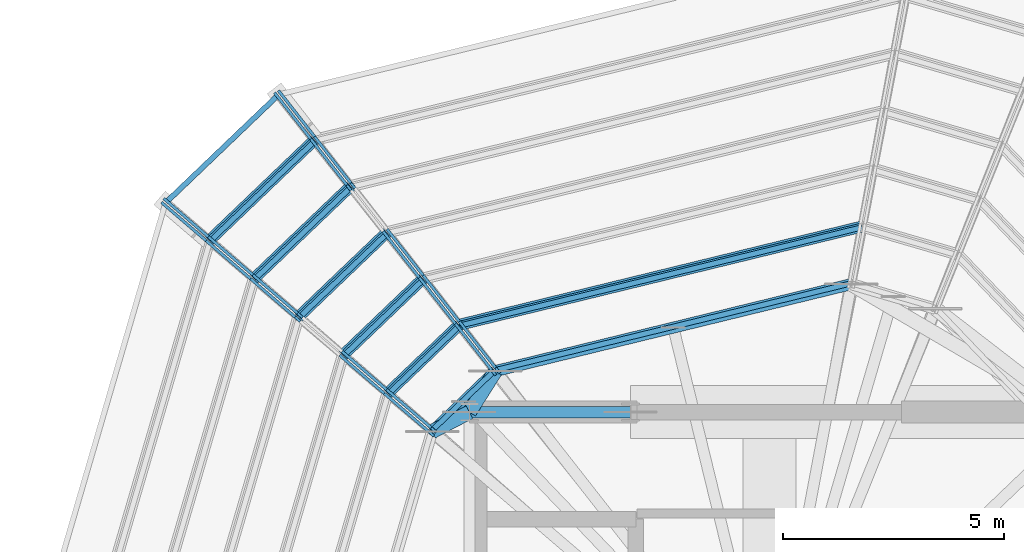
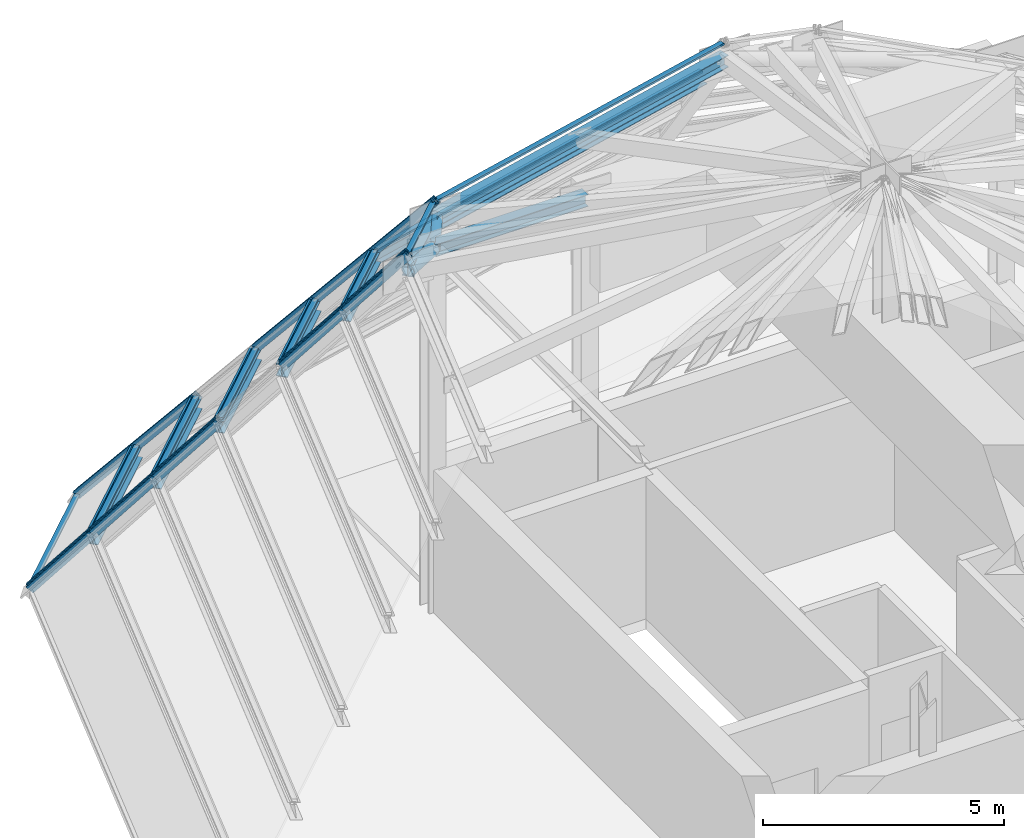
# One storey, part 6 of 13: 37 members, 9 beams, 16 elements without a shape of their own.
"""IFC4 building model written with IfcOpenShell, lengths in metres."""

from ifc_helpers import new_model, si_unit, direction, frame, origin, origin_2d, place, context, subcontext, project, spatial, hollow_rectangle, hollow_circle, i_section, extrude, source, transform, mapped, material, layer, layer_set, material_profile, profile_set, type_object, element, aggregate, save


model = new_model("IFC4")

# Units and contexts
model_context = context("Model", 3, precision=1e-05, world=origin(), true_north=direction((0.0, 1.0)))
body_context = subcontext(model_context, "Body", "Model", "MODEL_VIEW")
ifc_project = project(units=[si_unit("LENGTHUNIT", "METRE"), si_unit("AREAUNIT", "SQUARE_METRE"), si_unit("VOLUMEUNIT", "CUBIC_METRE"), si_unit("PLANEANGLEUNIT", "RADIAN"), si_unit("MASSUNIT", "GRAM", prefix="KILO")], contexts=[model_context])

# Site, building, storey
site_placement = place(None, origin())
site = spatial("IfcSite", under=ifc_project, at=site_placement, CompositionType="ELEMENT")
building_placement = place(site_placement, origin())
building = spatial("IfcBuilding", under=site, at=building_placement, Name="Veraguas Prism Commons", CompositionType="ELEMENT")
storey_placement = place(building_placement, frame((0.0, 0.0, 268.89990234375)))
storey = spatial("IfcBuildingStorey", under=building, at=storey_placement, Name="RF", CompositionType="ELEMENT", Elevation=268.89990234375)

# Members
ifc_material_1 = material(Name="Steel ASTM A500 Grade C", Category="steel")
ifc_material_profile_1 = material_profile(ifc_material_1, hollow_circle(Radius=0.162109375, WallThickness=0.01611328125, at=origin_2d()), Name="CHS324X16")
ifc_profile_set_1 = profile_set([ifc_material_profile_1], Name="Steel ASTM A500 Grade C")
member_type_1 = type_object("IfcMemberType", Name="Crown Apex Collar Strut CHS 324x16", PredefinedType="STRUT", material=ifc_profile_set_1)
member_1_placement = place(storey_placement, frame((17.788818359375, 31.93310546875, 9.067138671875), z_axis=(-0.533693263088, -0.845678130813, 0.0), x_axis=(0.845678130813, -0.533693263088, 0.0)))
element("IfcMember", 1, at=member_1_placement, inside=storey, type_object=member_type_1, Name="Crown Apex Collar Strut 05", PredefinedType="STRUT", context=body_context, shape_type="SweptSolid", body=[
    extrude(hollow_circle(Radius=0.162109375, WallThickness=0.01611328125, at=origin_2d()), origin(), (0.0, 0.0, 1.0), 1.103271484375),
])
member_2_placement = place(storey_placement, frame((16.352294921875, 30.559326171875, 9.067138671875), z_axis=(0.887262821216, 0.461264225892, 0.0), x_axis=(-0.461264225892, 0.887262821216, 0.0)))
element("IfcMember", 2, at=member_2_placement, inside=storey, type_object=member_type_1, Name="Crown Apex Collar Strut 06", PredefinedType="STRUT", context=body_context, shape_type="SweptSolid", body=[
    extrude(hollow_circle(Radius=0.162109375, WallThickness=0.01611328125, at=origin_2d()), origin(), (0.0, 0.0, 1.0), 0.955322265625),
])

# Beams
ifc_material_2 = material(Name="Steel ASTM A992 Grade 50", Category="steel")
ifc_material_profile_2 = material_profile(ifc_material_2, i_section(OverallWidth=0.25390625, OverallDepth=0.305908203125, WebThickness=0.0087890625, FlangeThickness=0.0146484375, at=origin_2d()), Name="W310X79")
ifc_profile_set_2 = profile_set([ifc_material_profile_2], Name="Steel ASTM A992 Grade 50")
beam_type = type_object("IfcBeamType", Name="Crown Ring Spandrel W310x79", PredefinedType="SPANDREL", material=ifc_profile_set_2)
beam_1_placement = place(storey_placement, frame((17.199951171875, 31.0, 9.067138671875), z_axis=(1.0, 0.0, 0.0), x_axis=(0.0, 1.0, 0.0)))
element("IfcBeam", 3, at=beam_1_placement, inside=storey, type_object=beam_type, Name="Crown Apex Ring Beam 3", PredefinedType="SPANDREL", context=body_context, shape_type="SweptSolid", body=[
    extrude(i_section(OverallWidth=0.25390625, OverallDepth=0.305908203125, WebThickness=0.0087890625, FlangeThickness=0.0146484375, at=origin_2d()), origin(), (0.0, 0.0, 1.0), 3.650146484375),
])
beam_2_placement = place(storey_placement, frame((26.10205078125, 35.210693359375, 7.763916015625), z_axis=(-0.971464323678, -0.237185724318, 0.0), x_axis=(0.237185724318, -0.971464323678, 0.0)))
element("IfcBeam", 4, at=beam_2_placement, inside=storey, type_object=beam_type, Name="Crown Facet Ring Beam T5-V04", PredefinedType="SPANDREL", context=body_context, shape_type="SweptSolid", body=[
    extrude(i_section(OverallWidth=0.25390625, OverallDepth=0.305908203125, WebThickness=0.0087890625, FlangeThickness=0.0146484375, at=origin_2d()), origin(), (0.0, 0.0, 1.0), 9.40185546875),
])
beam_3_placement = place(storey_placement, frame((25.856689453125, 33.90283203125, 9.067138671875), z_axis=(-0.971466173368, -0.23717814824, 0.0), x_axis=(0.23717814824, -0.971466173368, 0.0)))
element("IfcBeam", 5, at=beam_3_placement, inside=storey, type_object=beam_type, Name="Crown Facet Ring Beam T6-V04", PredefinedType="SPANDREL", context=body_context, shape_type="SweptSolid", body=[
    extrude(i_section(OverallWidth=0.25390625, OverallDepth=0.305908203125, WebThickness=0.0087890625, FlangeThickness=0.0146484375, at=origin_2d()), origin(), (0.0, 0.0, 1.0), 8.304931640625),
])
beam_4_placement = place(storey_placement, frame((13.68701171875, 37.171875, 1.430419921875), z_axis=(-0.722725400586, -0.691135294532, 0.0), x_axis=(0.691135294532, -0.722725400586, 0.0)))
element("IfcBeam", 6, at=beam_4_placement, inside=storey, type_object=beam_type, Name="Crown Facet Ring Beam T1-V05", PredefinedType="SPANDREL", context=body_context, shape_type="SweptSolid", body=[
    extrude(i_section(OverallWidth=0.25390625, OverallDepth=0.305908203125, WebThickness=0.0087890625, FlangeThickness=0.0146484375, at=origin_2d()), origin(), (0.0, 0.0, 1.0), 3.300048828125),
])
beam_5_placement = place(storey_placement, frame((14.50732421875, 36.1240234375, 3.013916015625), z_axis=(-0.722764040315, -0.691094886414, 0.0), x_axis=(0.691094886414, -0.722764040315, 0.0)))
element("IfcBeam", 7, at=beam_5_placement, inside=storey, type_object=beam_type, Name="Crown Facet Ring Beam T2-V05", PredefinedType="SPANDREL", context=body_context, shape_type="SweptSolid", body=[
    extrude(i_section(OverallWidth=0.25390625, OverallDepth=0.305908203125, WebThickness=0.0087890625, FlangeThickness=0.0146484375, at=origin_2d()), origin(), (0.0, 0.0, 1.0), 3.037353515625),
])
beam_6_placement = place(storey_placement, frame((15.32763671875, 35.076416015625, 4.59716796875), z_axis=(-0.722722098814, -0.691138747204, 0.0), x_axis=(0.691138747204, -0.722722098814, 0.0)))
element("IfcBeam", 8, at=beam_6_placement, inside=storey, type_object=beam_type, Name="Crown Facet Ring Beam T3-V05", PredefinedType="SPANDREL", context=body_context, shape_type="SweptSolid", body=[
    extrude(i_section(OverallWidth=0.25390625, OverallDepth=0.305908203125, WebThickness=0.0087890625, FlangeThickness=0.0146484375, at=origin_2d()), origin(), (0.0, 0.0, 1.0), 2.775146484375),
])
beam_7_placement = place(storey_placement, frame((16.14794921875, 34.028564453125, 6.180419921875), z_axis=(-0.722719930562, -0.691141014532, 0.0), x_axis=(0.691141014532, -0.722719930562, 0.0)))
element("IfcBeam", 9, at=beam_7_placement, inside=storey, type_object=beam_type, Name="Crown Facet Ring Beam T4-V05", PredefinedType="SPANDREL", context=body_context, shape_type="SweptSolid", body=[
    extrude(i_section(OverallWidth=0.25390625, OverallDepth=0.305908203125, WebThickness=0.0087890625, FlangeThickness=0.0146484375, at=origin_2d()), origin(), (0.0, 0.0, 1.0), 2.5126953125),
])
beam_8_placement = place(storey_placement, frame((16.968505859375, 32.980712890625, 7.763916015625), z_axis=(-0.722771454137, -0.691087132773, 0.0), x_axis=(0.691087132773, -0.722771454137, 0.0)))
element("IfcBeam", 10, at=beam_8_placement, inside=storey, type_object=beam_type, Name="Crown Facet Ring Beam T5-V05", PredefinedType="SPANDREL", context=body_context, shape_type="SweptSolid", body=[
    extrude(i_section(OverallWidth=0.25390625, OverallDepth=0.305908203125, WebThickness=0.0087890625, FlangeThickness=0.0146484375, at=origin_2d()), origin(), (0.0, 0.0, 1.0), 2.25),
])
beam_9_placement = place(storey_placement, frame((17.788818359375, 31.93310546875, 9.067138671875), z_axis=(-0.722713876146, -0.691147345525, 0.0), x_axis=(0.691147345525, -0.722713876146, 0.0)))
element("IfcBeam", 11, at=beam_9_placement, inside=storey, type_object=beam_type, Name="Crown Facet Ring Beam T6-V05", PredefinedType="SPANDREL", context=body_context, shape_type="SweptSolid", body=[
    extrude(i_section(OverallWidth=0.25390625, OverallDepth=0.305908203125, WebThickness=0.0087890625, FlangeThickness=0.0146484375, at=origin_2d()), origin(), (0.0, 0.0, 1.0), 1.98779296875),
])

# Curtain wall, member
ifc_material_3 = material(Name="Anodised aluminium EN AW-6063 T6", Category="aluminium")
ifc_layer = layer(ifc_material_3, 0.199951171875, Name="Faceted Glass Point Crown Curtain Wall", Category="aluminium")
ifc_layer_set = layer_set([ifc_layer], Name="Anodised aluminium EN AW-6063 T6")
curtain_wall_type = type_object("IfcCurtainWallType", Name="Faceted Glass Point Crown Curtain Wall", PredefinedType="NOTDEFINED", material=ifc_layer_set)
curtain_wall_1_placement = place(storey_placement, origin())
curtain_wall_1 = element("IfcCurtainWall", 12, at=curtain_wall_1_placement, inside=storey, type_object=curtain_wall_type, Name="Crown Glass-Point Facet T1-F04", PredefinedType="NOTDEFINED")
ifc_material_profile_3 = material_profile(ifc_material_3, hollow_rectangle(XDim=0.06494140625, YDim=0.199951171875, WallThickness=0.00390625, at=origin_2d()), Name="AL65X200X4")
ifc_profile_set_3 = profile_set([ifc_material_profile_3], Name="Anodised aluminium EN AW-6063 T6")
member_type_2 = type_object("IfcMemberType", Name="Curtain Wall Mullion Heavy AL 65x200x4", PredefinedType="MULLION", material=ifc_profile_set_3)
shared_shape_1 = source(origin(), body_context, "Body", "SweptSolid", [
    extrude(hollow_rectangle(XDim=0.06494140625, YDim=0.199951171875, WallThickness=0.00390625, at=origin_2d()), origin(), (0.0, 0.0, 1.0), 2.068359375),
])
member_3_placement = place(storey_placement, frame((12.91748046875, 38.23193359375, 0.0), z_axis=(0.396612466542, -0.506507170813, 0.765603707736), x_axis=(0.78734235213, 0.616516034294, 0.0)))
member_3 = element("IfcMember", 13, at=member_3_placement, type_object=member_type_2, Name="CW-CRN Mullion 2", PredefinedType="MULLION", context=body_context, shape_type="MappedRepresentation", body=[
    mapped(shared_shape_1, transform((0.0, 0.0, 0.0), scale=1.0)),
])
aggregate(curtain_wall_1, [member_3])

# Curtain wall, members
curtain_wall_2_placement = place(storey_placement, origin())
curtain_wall_2 = element("IfcCurtainWall", 14, at=curtain_wall_2_placement, inside=storey, type_object=curtain_wall_type, Name="Crown Glass-Point Facet T1-F05", PredefinedType="NOTDEFINED")
member_4_placement = place(storey_placement, frame((12.82861328125, 38.183349609375, 0.0), z_axis=(0.396612466542, -0.506507170813, 0.765603707736), x_axis=(0.78734235213, 0.616516034294, 0.0)))
member_4 = element("IfcMember", 15, at=member_4_placement, type_object=member_type_2, Name="CW-CRN Mullion 1", PredefinedType="MULLION", context=body_context, shape_type="MappedRepresentation", body=[
    mapped(shared_shape_1, transform((0.0, 0.0, 0.0), scale=1.0)),
])
member_5_placement = place(storey_placement, frame((10.329833984375, 35.793701171875, 0.0), z_axis=(0.488302263112, -0.418898895766, 0.765561633682), x_axis=(0.651108598929, 0.758984579817, 0.0)))
member_5 = element("IfcMember", 16, at=member_5_placement, type_object=member_type_2, Name="CW-CRN Mullion 2", PredefinedType="MULLION", context=body_context, shape_type="MappedRepresentation", body=[
    mapped(shared_shape_1, transform((0.0, 0.0, 0.0), scale=1.0)),
])

# Curtain wall, member
curtain_wall_3_placement = place(storey_placement, origin())
curtain_wall_3 = element("IfcCurtainWall", 17, at=curtain_wall_3_placement, inside=storey, type_object=curtain_wall_type, Name="Crown Glass-Point Facet T1-F06", PredefinedType="NOTDEFINED")
member_6_placement = place(storey_placement, frame((10.277099609375, 35.70703125, 0.0), z_axis=(0.488326405053, -0.418801567592, 0.765599483484), x_axis=(0.651002894994, 0.759075247066, 0.0)))
member_6 = element("IfcMember", 18, at=member_6_placement, type_object=member_type_2, Name="CW-CRN Mullion 1", PredefinedType="MULLION", context=body_context, shape_type="MappedRepresentation", body=[
    mapped(shared_shape_1, transform((0.0, 0.0, 0.0), scale=1.0)),
])
aggregate(curtain_wall_3, [member_6])

curtain_wall_4_placement = place(storey_placement, origin())
curtain_wall_4 = element("IfcCurtainWall", 19, at=curtain_wall_4_placement, inside=storey, type_object=curtain_wall_type, Name="Crown Glass-Point Facet T2-F04", PredefinedType="NOTDEFINED")
member_7_placement = place(storey_placement, frame((13.73779296875, 37.184326171875, 1.58349609375), z_axis=(0.396724057983, -0.506616976157, 0.765473227022), x_axis=(0.787323032399, 0.616540706405, 0.0)))
member_7 = element("IfcMember", 20, at=member_7_placement, type_object=member_type_2, Name="CW-CRN Mullion 2", PredefinedType="MULLION", context=body_context, shape_type="MappedRepresentation", body=[
    mapped(shared_shape_1, transform((0.0, 0.0, 0.0), scale=1.0)),
])
aggregate(curtain_wall_4, [member_7])

curtain_wall_5_placement = place(storey_placement, origin())
curtain_wall_5 = element("IfcCurtainWall", 21, at=curtain_wall_5_placement, inside=storey, type_object=curtain_wall_type, Name="Crown Glass-Point Facet T2-F05", PredefinedType="NOTDEFINED")
member_8_placement = place(storey_placement, frame((11.33984375, 34.92724609375, 1.58349609375), z_axis=(0.48846042409, -0.418815269375, 0.765506488696), x_axis=(0.65091223226, 0.759152992416, 0.0)))
member_8 = element("IfcMember", 22, at=member_8_placement, type_object=member_type_2, Name="CW-CRN Mullion 2", PredefinedType="MULLION", context=body_context, shape_type="MappedRepresentation", body=[
    mapped(shared_shape_1, transform((0.0, 0.0, 0.0), scale=1.0)),
])

curtain_wall_6_placement = place(storey_placement, origin())
curtain_wall_6 = element("IfcCurtainWall", 23, at=curtain_wall_6_placement, inside=storey, type_object=curtain_wall_type, Name="Crown Glass-Point Facet T2-F06", PredefinedType="NOTDEFINED")
member_9_placement = place(storey_placement, frame((11.287109375, 34.8408203125, 1.58349609375), z_axis=(0.488436273944, -0.418912599378, 0.765468641016), x_axis=(0.65101794313, 0.759062341131, 0.0)))
member_9 = element("IfcMember", 24, at=member_9_placement, type_object=member_type_2, Name="CW-CRN Mullion 1", PredefinedType="MULLION", context=body_context, shape_type="MappedRepresentation", body=[
    mapped(shared_shape_1, transform((0.0, 0.0, 0.0), scale=1.0)),
])
aggregate(curtain_wall_6, [member_9])

curtain_wall_7_placement = place(storey_placement, origin())
curtain_wall_7 = element("IfcCurtainWall", 25, at=curtain_wall_7_placement, inside=storey, type_object=curtain_wall_type, Name="Crown Glass-Point Facet T4-F04", PredefinedType="NOTDEFINED")
member_10_placement = place(storey_placement, frame((15.378662109375, 35.088623046875, 4.75), z_axis=(0.396612466542, -0.506507170813, 0.765603707736), x_axis=(0.78734235213, 0.616516034294, 0.0)))
member_10 = element("IfcMember", 26, at=member_10_placement, type_object=member_type_2, Name="CW-CRN Mullion 2", PredefinedType="MULLION", context=body_context, shape_type="MappedRepresentation", body=[
    mapped(shared_shape_1, transform((0.0, 0.0, 0.0), scale=1.0)),
])
aggregate(curtain_wall_7, [member_10])

curtain_wall_8_placement = place(storey_placement, origin())
curtain_wall_8 = element("IfcCurtainWall", 27, at=curtain_wall_8_placement, inside=storey, type_object=curtain_wall_type, Name="Crown Glass-Point Facet T4-F05", PredefinedType="NOTDEFINED")
member_11_placement = place(storey_placement, frame((15.28955078125, 35.0400390625, 4.75), z_axis=(0.396711931209, -0.506483456357, 0.765567862487), x_axis=(0.787253287757, 0.616629759998, 0.0)))
member_11 = element("IfcMember", 28, at=member_11_placement, type_object=member_type_2, Name="CW-CRN Mullion 1", PredefinedType="MULLION", context=body_context, shape_type="MappedRepresentation", body=[
    mapped(shared_shape_1, transform((0.0, 0.0, 0.0), scale=1.0)),
])

curtain_wall_9_placement = place(storey_placement, origin())
curtain_wall_9 = element("IfcCurtainWall", 29, at=curtain_wall_9_placement, inside=storey, type_object=curtain_wall_type, Name="Crown Glass-Point Facet T6-F05", PredefinedType="NOTDEFINED")
member_12_placement = place(storey_placement, frame((15.380126953125, 31.462158203125, 7.916748046875), z_axis=(0.488436273944, -0.418912599378, 0.765468641016), x_axis=(0.65101794313, 0.759062341131, 0.0)))
member_12 = element("IfcMember", 30, at=member_12_placement, type_object=member_type_2, Name="CW-CRN Mullion 2", PredefinedType="MULLION", context=body_context, shape_type="MappedRepresentation", body=[
    mapped(shared_shape_1, transform((0.0, 0.0, 0.0), scale=1.0)),
])

curtain_wall_10_placement = place(storey_placement, origin())
curtain_wall_10 = element("IfcCurtainWall", 31, at=curtain_wall_10_placement, inside=storey, type_object=curtain_wall_type, Name="Crown Glass-Point Facet T6-F06", PredefinedType="NOTDEFINED")
member_13_placement = place(storey_placement, frame((15.327392578125, 31.37548828125, 7.916748046875), z_axis=(0.488436273944, -0.418912599378, 0.765468641016), x_axis=(0.65101794313, 0.759062341131, 0.0)))
member_13 = element("IfcMember", 32, at=member_13_placement, type_object=member_type_2, Name="CW-CRN Mullion 1", PredefinedType="MULLION", context=body_context, shape_type="MappedRepresentation", body=[
    mapped(shared_shape_1, transform((0.0, 0.0, 0.0), scale=1.0)),
])
aggregate(curtain_wall_10, [member_13])

# Member
ifc_material_profile_4 = material_profile(ifc_material_3, hollow_rectangle(XDim=0.050048828125, YDim=0.1201171875, WallThickness=0.0029296875, at=origin_2d()), Name="AL50X120X3")
ifc_profile_set_4 = profile_set([ifc_material_profile_4], Name="Anodised aluminium EN AW-6063 T6")
member_type_3 = type_object("IfcMemberType", Name="Curtain Wall Transom Crown AL 50x120x3", PredefinedType="USERDEFINED", material=ifc_profile_set_4)
shared_shape_2 = source(origin(), body_context, "Body", "SweptSolid", [
    extrude(hollow_rectangle(XDim=0.050048828125, YDim=0.1201171875, WallThickness=0.0029296875, at=origin_2d()), origin(), (0.0, 0.0, 1.0), 3.453125),
])
member_14_placement = place(storey_placement, frame((12.841552734375, 38.166748046875, 0.025146484375), z_axis=(-0.722697130784, -0.691164855267, 0.0), x_axis=(0.0, 0.0, 1.0)))
member_14 = element("IfcMember", 33, at=member_14_placement, type_object=member_type_3, Name="CW-CRN Transom 1", ObjectType="TRANSOM", PredefinedType="USERDEFINED", context=body_context, shape_type="MappedRepresentation", body=[
    mapped(shared_shape_2, transform((0.0, 0.0, 0.0), scale=1.0)),
])

shared_shape_3 = source(origin(), body_context, "Body", "SweptSolid", [
    extrude(hollow_rectangle(XDim=0.050048828125, YDim=0.1201171875, WallThickness=0.0029296875, at=origin_2d()), origin(), (0.0, 0.0, 1.0), 3.198974609375),
])
member_15_placement = place(storey_placement, frame((13.635986328125, 37.152099609375, 1.558349609375), z_axis=(-0.722728038479, -0.691132536057, 0.0), x_axis=(0.0, 0.0, 1.0)))
member_15 = element("IfcMember", 34, at=member_15_placement, type_object=member_type_3, Name="CW-CRN Transom 2", ObjectType="TRANSOM", PredefinedType="USERDEFINED", context=body_context, shape_type="MappedRepresentation", body=[
    mapped(shared_shape_3, transform((0.0, 0.0, 0.0), scale=1.0)),
])

aggregate(curtain_wall_2, [member_4, member_5, member_14, member_15])

shared_shape_4 = source(origin(), body_context, "Body", "SweptSolid", [
    extrude(hollow_rectangle(XDim=0.06494140625, YDim=0.199951171875, WallThickness=0.00390625, at=origin_2d()), origin(), (0.0, 0.0, 1.0), 2.068115234375),
])
member_16_placement = place(storey_placement, frame((13.64892578125, 37.1357421875, 1.58349609375), z_axis=(0.396624591411, -0.506640698315, 0.765509070031), x_axis=(0.787412078932, 0.616426976983, 0.0)))
member_16 = element("IfcMember", 35, at=member_16_placement, type_object=member_type_2, Name="CW-CRN Mullion 1", PredefinedType="MULLION", context=body_context, shape_type="MappedRepresentation", body=[
    mapped(shared_shape_4, transform((0.0, 0.0, 0.0), scale=1.0)),
])

# Curtain wall, member
curtain_wall_11_placement = place(storey_placement, origin())
curtain_wall_11 = element("IfcCurtainWall", 36, at=curtain_wall_11_placement, inside=storey, type_object=curtain_wall_type, Name="Crown Glass-Point Facet T3-F05", PredefinedType="NOTDEFINED")
member_17_placement = place(storey_placement, frame((12.35009765625, 34.06103515625, 3.166748046875), z_axis=(0.48834638941, -0.418936750306, 0.765512771411), x_axis=(0.651108598929, 0.758984579817, 0.0)))
member_17 = element("IfcMember", 37, at=member_17_placement, type_object=member_type_2, Name="CW-CRN Mullion 2", PredefinedType="MULLION", context=body_context, shape_type="MappedRepresentation", body=[
    mapped(shared_shape_4, transform((0.0, 0.0, 0.0), scale=1.0)),
])

curtain_wall_12_placement = place(storey_placement, origin())
curtain_wall_12 = element("IfcCurtainWall", 38, at=curtain_wall_12_placement, inside=storey, type_object=curtain_wall_type, Name="Crown Glass-Point Facet T3-F06", PredefinedType="NOTDEFINED")
member_18_placement = place(storey_placement, frame((12.29736328125, 33.974365234375, 3.166748046875), z_axis=(0.48834638941, -0.418936750306, 0.765512771411), x_axis=(0.651108598929, 0.758984579817, 0.0)))
member_18 = element("IfcMember", 39, at=member_18_placement, type_object=member_type_2, Name="CW-CRN Mullion 1", PredefinedType="MULLION", context=body_context, shape_type="MappedRepresentation", body=[
    mapped(shared_shape_4, transform((0.0, 0.0, 0.0), scale=1.0)),
])
aggregate(curtain_wall_12, [member_18])

curtain_wall_13_placement = place(storey_placement, origin())
curtain_wall_13 = element("IfcCurtainWall", 40, at=curtain_wall_13_placement, inside=storey, type_object=curtain_wall_type, Name="Crown Glass-Point Facet T5-F04", PredefinedType="NOTDEFINED")
member_19_placement = place(storey_placement, frame((16.198974609375, 34.041015625, 6.33349609375), z_axis=(0.396624591411, -0.506640698315, 0.765509070031), x_axis=(0.787412078932, 0.616426976983, 0.0)))
member_19 = element("IfcMember", 41, at=member_19_placement, type_object=member_type_2, Name="CW-CRN Mullion 2", PredefinedType="MULLION", context=body_context, shape_type="MappedRepresentation", body=[
    mapped(shared_shape_4, transform((0.0, 0.0, 0.0), scale=1.0)),
])

# Curtain wall, members
curtain_wall_14_placement = place(storey_placement, origin())
curtain_wall_14 = element("IfcCurtainWall", 42, at=curtain_wall_14_placement, inside=storey, type_object=curtain_wall_type, Name="Crown Glass-Point Facet T5-F05", PredefinedType="NOTDEFINED")
member_20_placement = place(storey_placement, frame((16.110107421875, 33.992431640625, 6.33349609375), z_axis=(0.396624591411, -0.506640698315, 0.765509070031), x_axis=(0.787412078932, 0.616426976983, 0.0)))
member_20 = element("IfcMember", 43, at=member_20_placement, type_object=member_type_2, Name="CW-CRN Mullion 1", PredefinedType="MULLION", context=body_context, shape_type="MappedRepresentation", body=[
    mapped(shared_shape_4, transform((0.0, 0.0, 0.0), scale=1.0)),
])
member_21_placement = place(storey_placement, frame((14.3701171875, 32.328369140625, 6.33349609375), z_axis=(0.488370537897, -0.41883941708, 0.765550625638), x_axis=(0.651002894994, 0.759075247066, 0.0)))
member_21 = element("IfcMember", 44, at=member_21_placement, type_object=member_type_2, Name="CW-CRN Mullion 2", PredefinedType="MULLION", context=body_context, shape_type="MappedRepresentation", body=[
    mapped(shared_shape_4, transform((0.0, 0.0, 0.0), scale=1.0)),
])

# Curtain wall, member
curtain_wall_15_placement = place(storey_placement, origin())
curtain_wall_15 = element("IfcCurtainWall", 45, at=curtain_wall_15_placement, inside=storey, type_object=curtain_wall_type, Name="Crown Glass-Point Facet T5-F06", PredefinedType="NOTDEFINED")
member_22_placement = place(storey_placement, frame((14.3173828125, 32.24169921875, 6.33349609375), z_axis=(0.488370537897, -0.41883941708, 0.765550625638), x_axis=(0.651002894994, 0.759075247066, 0.0)))
member_22 = element("IfcMember", 46, at=member_22_placement, type_object=member_type_2, Name="CW-CRN Mullion 1", PredefinedType="MULLION", context=body_context, shape_type="MappedRepresentation", body=[
    mapped(shared_shape_4, transform((0.0, 0.0, 0.0), scale=1.0)),
])
aggregate(curtain_wall_15, [member_22])

curtain_wall_16_placement = place(storey_placement, origin())
curtain_wall_16 = element("IfcCurtainWall", 47, at=curtain_wall_16_placement, inside=storey, type_object=curtain_wall_type, Name="Crown Glass-Point Facet T6-F04", PredefinedType="NOTDEFINED")
member_23_placement = place(storey_placement, frame((17.019287109375, 32.9931640625, 7.916748046875), z_axis=(0.39664831107, -0.506552947262, 0.765554850383), x_axis=(0.78734235213, 0.616516034294, 0.0)))
member_23 = element("IfcMember", 48, at=member_23_placement, type_object=member_type_2, Name="CW-CRN Mullion 2", PredefinedType="MULLION", context=body_context, shape_type="MappedRepresentation", body=[
    mapped(shared_shape_4, transform((0.0, 0.0, 0.0), scale=1.0)),
])

# Member
member_24_placement = place(storey_placement, frame((16.930419921875, 32.944580078125, 7.916748046875), z_axis=(0.396624591411, -0.506640698315, 0.765509070031), x_axis=(0.787412078932, 0.616426976983, 0.0)))
member_24 = element("IfcMember", 49, at=member_24_placement, type_object=member_type_2, Name="CW-CRN Mullion 1", PredefinedType="MULLION", context=body_context, shape_type="MappedRepresentation", body=[
    mapped(shared_shape_4, transform((0.0, 0.0, 0.0), scale=1.0)),
])

shared_shape_5 = source(origin(), body_context, "Body", "SweptSolid", [
    extrude(hollow_rectangle(XDim=0.050048828125, YDim=0.1201171875, WallThickness=0.0029296875, at=origin_2d()), origin(), (0.0, 0.0, 1.0), 3.19091796875),
])
member_25_placement = place(storey_placement, frame((13.661865234375, 37.119140625, 1.6083984375), z_axis=(-0.7226551503, -0.691208748313, 0.0), x_axis=(0.0, 0.0, 1.0)))
member_25 = element("IfcMember", 50, at=member_25_placement, type_object=member_type_3, Name="CW-CRN Transom 1", ObjectType="TRANSOM", PredefinedType="USERDEFINED", context=body_context, shape_type="MappedRepresentation", body=[
    mapped(shared_shape_5, transform((0.0, 0.0, 0.0), scale=1.0)),
])

shared_shape_6 = source(origin(), body_context, "Body", "SweptSolid", [
    extrude(hollow_rectangle(XDim=0.050048828125, YDim=0.1201171875, WallThickness=0.0029296875, at=origin_2d()), origin(), (0.0, 0.0, 1.0), 2.936767578125),
])
member_26_placement = place(storey_placement, frame((14.456298828125, 36.1044921875, 3.141845703125), z_axis=(-0.72268518725, -0.691177343472, 0.0), x_axis=(0.0, 0.0, 1.0)))
member_26 = element("IfcMember", 51, at=member_26_placement, type_object=member_type_3, Name="CW-CRN Transom 2", ObjectType="TRANSOM", PredefinedType="USERDEFINED", context=body_context, shape_type="MappedRepresentation", body=[
    mapped(shared_shape_6, transform((0.0, 0.0, 0.0), scale=1.0)),
])

aggregate(curtain_wall_5, [member_16, member_8, member_25, member_26])

shared_shape_7 = source(origin(), body_context, "Body", "SweptSolid", [
    extrude(hollow_rectangle(XDim=0.050048828125, YDim=0.1201171875, WallThickness=0.0029296875, at=origin_2d()), origin(), (0.0, 0.0, 1.0), 2.92822265625),
])
member_27_placement = place(storey_placement, frame((14.482177734375, 36.0712890625, 3.19189453125), z_axis=(-0.722688933589, -0.691173426333, 0.0), x_axis=(0.0, 0.0, 1.0)))
member_27 = element("IfcMember", 52, at=member_27_placement, type_object=member_type_3, Name="CW-CRN Transom 1", ObjectType="TRANSOM", PredefinedType="USERDEFINED", context=body_context, shape_type="MappedRepresentation", body=[
    mapped(shared_shape_7, transform((0.0, 0.0, 0.0), scale=1.0)),
])

shared_shape_8 = source(origin(), body_context, "Body", "SweptSolid", [
    extrude(hollow_rectangle(XDim=0.050048828125, YDim=0.1201171875, WallThickness=0.0029296875, at=origin_2d()), origin(), (0.0, 0.0, 1.0), 2.674072265625),
])
member_28_placement = place(storey_placement, frame((15.276611328125, 35.056640625, 4.72509765625), z_axis=(-0.722635908681, -0.691228864766, 0.0), x_axis=(0.0, 0.0, 1.0)))
member_28 = element("IfcMember", 53, at=member_28_placement, type_object=member_type_3, Name="CW-CRN Transom 2", ObjectType="TRANSOM", PredefinedType="USERDEFINED", context=body_context, shape_type="MappedRepresentation", body=[
    mapped(shared_shape_8, transform((0.0, 0.0, 0.0), scale=1.0)),
])

aggregate(curtain_wall_11, [member_17, member_27, member_28])

shared_shape_9 = source(origin(), body_context, "Body", "SweptSolid", [
    extrude(hollow_rectangle(XDim=0.050048828125, YDim=0.1201171875, WallThickness=0.0029296875, at=origin_2d()), origin(), (0.0, 0.0, 1.0), 2.665771484375),
])
member_29_placement = place(storey_placement, frame((15.302490234375, 35.0234375, 4.775146484375), z_axis=(-0.722683624311, -0.691178977655, 0.0), x_axis=(0.0, 0.0, 1.0)))
member_29 = element("IfcMember", 54, at=member_29_placement, type_object=member_type_3, Name="CW-CRN Transom 1", ObjectType="TRANSOM", PredefinedType="USERDEFINED", context=body_context, shape_type="MappedRepresentation", body=[
    mapped(shared_shape_9, transform((0.0, 0.0, 0.0), scale=1.0)),
])

shared_shape_10 = source(origin(), body_context, "Body", "SweptSolid", [
    extrude(hollow_rectangle(XDim=0.050048828125, YDim=0.1201171875, WallThickness=0.0029296875, at=origin_2d()), origin(), (0.0, 0.0, 1.0), 2.41162109375),
])
member_30_placement = place(storey_placement, frame((16.09716796875, 34.0087890625, 6.308349609375), z_axis=(-0.722723200648, -0.691137595017, 0.0), x_axis=(0.0, 0.0, 1.0)))
member_30 = element("IfcMember", 55, at=member_30_placement, type_object=member_type_3, Name="CW-CRN Transom 2", ObjectType="TRANSOM", PredefinedType="USERDEFINED", context=body_context, shape_type="MappedRepresentation", body=[
    mapped(shared_shape_10, transform((0.0, 0.0, 0.0), scale=1.0)),
])

aggregate(curtain_wall_8, [member_11, member_29, member_30])

shared_shape_11 = source(origin(), body_context, "Body", "SweptSolid", [
    extrude(hollow_rectangle(XDim=0.050048828125, YDim=0.1201171875, WallThickness=0.0029296875, at=origin_2d()), origin(), (0.0, 0.0, 1.0), 2.403564453125),
])
member_31_placement = place(storey_placement, frame((16.123046875, 33.975830078125, 6.3583984375), z_axis=(-0.722725681051, -0.691135001247, 0.0), x_axis=(0.0, 0.0, 1.0)))
member_31 = element("IfcMember", 56, at=member_31_placement, type_object=member_type_3, Name="CW-CRN Transom 1", ObjectType="TRANSOM", PredefinedType="USERDEFINED", context=body_context, shape_type="MappedRepresentation", body=[
    mapped(shared_shape_11, transform((0.0, 0.0, 0.0), scale=1.0)),
])

shared_shape_12 = source(origin(), body_context, "Body", "SweptSolid", [
    extrude(hollow_rectangle(XDim=0.050048828125, YDim=0.1201171875, WallThickness=0.0029296875, at=origin_2d()), origin(), (0.0, 0.0, 1.0), 2.149169921875),
])
member_32_placement = place(storey_placement, frame((16.91748046875, 32.961181640625, 7.891845703125), z_axis=(-0.722720800247, -0.691140105109, 0.0), x_axis=(0.0, 0.0, 1.0)))
member_32 = element("IfcMember", 57, at=member_32_placement, type_object=member_type_3, Name="CW-CRN Transom 2", ObjectType="TRANSOM", PredefinedType="USERDEFINED", context=body_context, shape_type="MappedRepresentation", body=[
    mapped(shared_shape_12, transform((0.0, 0.0, 0.0), scale=1.0)),
])

aggregate(curtain_wall_14, [member_20, member_21, member_31, member_32])

shared_shape_13 = source(origin(), body_context, "Body", "SweptSolid", [
    extrude(hollow_rectangle(XDim=0.050048828125, YDim=0.1201171875, WallThickness=0.0029296875, at=origin_2d()), origin(), (0.0, 0.0, 1.0), 9.314453125),
])
member_33_placement = place(storey_placement, frame((26.054931640625, 35.218994140625, 7.891845703125), z_axis=(-0.97146453403, -0.237184862759, 0.0), x_axis=(0.0, 0.0, 1.0)))
member_33 = element("IfcMember", 58, at=member_33_placement, type_object=member_type_3, Name="CW-CRN Transom 2", ObjectType="TRANSOM", PredefinedType="USERDEFINED", context=body_context, shape_type="MappedRepresentation", body=[
    mapped(shared_shape_13, transform((0.0, 0.0, 0.0), scale=1.0)),
])

aggregate(curtain_wall_13, [member_19, member_33])

shared_shape_14 = source(origin(), body_context, "Body", "SweptSolid", [
    extrude(hollow_rectangle(XDim=0.050048828125, YDim=0.1201171875, WallThickness=0.0029296875, at=origin_2d()), origin(), (0.0, 0.0, 1.0), 1.88671875),
])
member_34_placement = place(storey_placement, frame((17.73779296875, 31.913330078125, 9.47509765625), z_axis=(-0.722717731957, -0.691143313587, 0.0), x_axis=(0.0, 0.0, 1.0)))
member_34 = element("IfcMember", 59, at=member_34_placement, type_object=member_type_3, Name="CW-CRN Transom 2", ObjectType="TRANSOM", PredefinedType="USERDEFINED", context=body_context, shape_type="MappedRepresentation", body=[
    mapped(shared_shape_14, transform((0.0, 0.0, 0.0), scale=1.0)),
])

shared_shape_15 = source(origin(), body_context, "Body", "SweptSolid", [
    extrude(hollow_rectangle(XDim=0.050048828125, YDim=0.1201171875, WallThickness=0.0029296875, at=origin_2d()), origin(), (0.0, 0.0, 1.0), 9.27978515625),
])
member_35_placement = place(storey_placement, frame((26.047119140625, 35.177734375, 7.94189453125), z_axis=(-0.971460333158, -0.237202068077, 0.0), x_axis=(0.0, 0.0, 1.0)))
member_35 = element("IfcMember", 60, at=member_35_placement, type_object=member_type_3, Name="CW-CRN Transom 1", ObjectType="TRANSOM", PredefinedType="USERDEFINED", context=body_context, shape_type="MappedRepresentation", body=[
    mapped(shared_shape_15, transform((0.0, 0.0, 0.0), scale=1.0)),
])

shared_shape_16 = source(origin(), body_context, "Body", "SweptSolid", [
    extrude(hollow_rectangle(XDim=0.050048828125, YDim=0.1201171875, WallThickness=0.0029296875, at=origin_2d()), origin(), (0.0, 0.0, 1.0), 8.217529296875),
])
member_36_placement = place(storey_placement, frame((25.809814453125, 33.9111328125, 9.47509765625), z_axis=(-0.971468102698, -0.237170245691, 0.0), x_axis=(0.0, 0.0, 1.0)))
member_36 = element("IfcMember", 61, at=member_36_placement, type_object=member_type_3, Name="CW-CRN Transom 2", ObjectType="TRANSOM", PredefinedType="USERDEFINED", context=body_context, shape_type="MappedRepresentation", body=[
    mapped(shared_shape_16, transform((0.0, 0.0, 0.0), scale=1.0)),
])

aggregate(curtain_wall_16, [member_23, member_35, member_36])

shared_shape_17 = source(origin(), body_context, "Body", "SweptSolid", [
    extrude(hollow_rectangle(XDim=0.050048828125, YDim=0.1201171875, WallThickness=0.0029296875, at=origin_2d()), origin(), (0.0, 0.0, 1.0), 2.140625),
])
member_37_placement = place(storey_placement, frame((16.943359375, 32.927978515625, 7.94189453125), z_axis=(-0.722726065371, -0.691134599361, 0.0), x_axis=(0.0, 0.0, 1.0)))
member_37 = element("IfcMember", 62, at=member_37_placement, type_object=member_type_3, Name="CW-CRN Transom 1", ObjectType="TRANSOM", PredefinedType="USERDEFINED", context=body_context, shape_type="MappedRepresentation", body=[
    mapped(shared_shape_17, transform((0.0, 0.0, 0.0), scale=1.0)),
])

aggregate(curtain_wall_9, [member_24, member_12, member_37, member_34])

save(model, "model.ifc")
